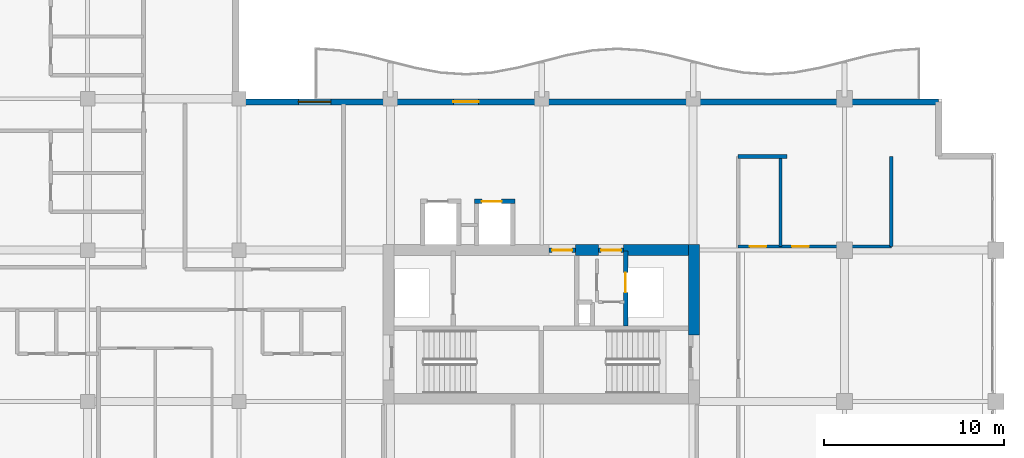
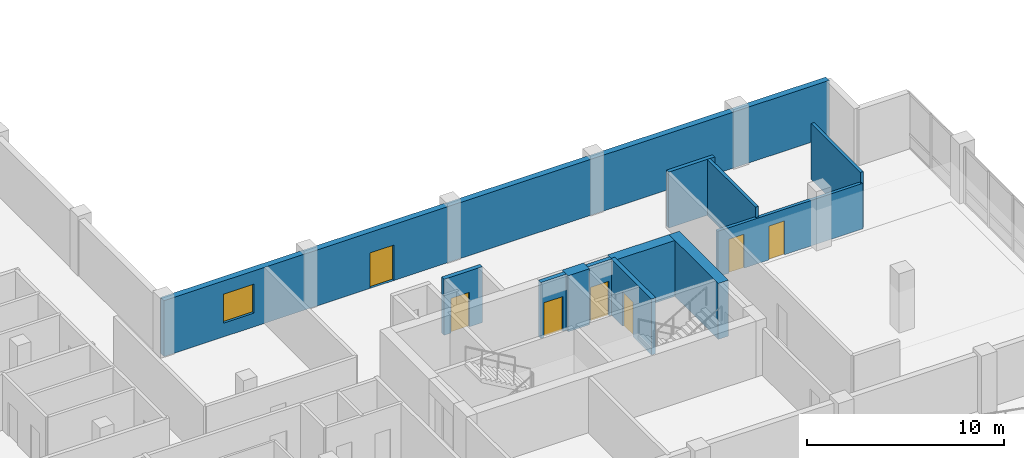
# One storey, part 8 of 16: 12 walls, 7 doors, 1 window, 8 openings.
"""IFC4 building model written with IfcOpenShell, lengths in metres."""

from ifc_helpers import new_model, si_unit, direction, frame, frame_2d, origin, place, context, subcontext, project, spatial, rectangle, extrude, material, layer, layer_set, type_object, element, fill, save


model = new_model("IFC4")

# Units and contexts
model_context = context("Model", 3, precision=1e-05, world=origin(), true_north=direction((0.0, 1.0)))
body_context = subcontext(model_context, "Body", "Model", "MODEL_VIEW")
ifc_project = project(units=[si_unit("LENGTHUNIT", "METRE"), si_unit("AREAUNIT", "SQUARE_METRE"), si_unit("VOLUMEUNIT", "CUBIC_METRE"), si_unit("PLANEANGLEUNIT", "RADIAN"), si_unit("MASSUNIT", "GRAM", prefix="KILO")], contexts=[model_context])

# Site, building, storey
site_placement = place(None, origin())
site = spatial("IfcSite", under=ifc_project, at=site_placement, CompositionType="ELEMENT")
building_placement = place(site_placement, origin())
building = spatial("IfcBuilding", under=site, at=building_placement, Name="Koriwani Terraces Tower", CompositionType="ELEMENT")
storey_placement = place(building_placement, frame((0.0, 0.0, 260.10009765625)))
storey = spatial("IfcBuildingStorey", under=building, at=storey_placement, Name="L64", CompositionType="ELEMENT", Elevation=260.10009765625)

# Walls
ifc_material_1 = material(Name="Concrete C60/75", Category="concrete")
ifc_layer_1 = layer(ifc_material_1, 0.60009765625, Name="Concrete C60/75")
ifc_layer_set_1 = layer_set([ifc_layer_1], Name="Concrete C60/75")
wall_type_1 = type_object("IfcWallType", Name="WALL_CORE_RC_600", PredefinedType="SHEAR", material=ifc_layer_set_1)
wall_1_placement = place(storey_placement, frame((58.85009765625, 20.5, 0.0), z_axis=(0.0, 0.0, 1.0), x_axis=(0.0, 1.0, 0.0)))
element("IfcWall", 1, at=wall_1_placement, inside=storey, type_object=wall_type_1, Name="L64 East Split Core Shear Wall E2", PredefinedType="SHEAR", context=body_context, shape_type="SweptSolid", body=[
    extrude(rectangle(XDim=5.0, YDim=0.60009765625, at=frame_2d((2.5, 0.0))), origin(), (0.0, 0.0, 1.0), 3.469970703125),
])
wall_2_placement = place(storey_placement, frame((52.280029296875, 25.199951171875, 0.0), z_axis=(0.0, 0.0, 1.0), x_axis=(1.0, 0.0, 0.0)))
element("IfcWall", 2, at=wall_2_placement, inside=storey, type_object=wall_type_1, Name="L64 East Split Core Shear Wall N2", PredefinedType="SHEAR", context=body_context, shape_type="SweptSolid", body=[
    extrude(rectangle(XDim=1.27001953125, YDim=0.60009765625, at=frame_2d((0.635009765625, 0.0))), origin(), (0.0, 0.0, 1.0), 3.469970703125),
])
wall_3_placement = place(storey_placement, frame((54.949951171875, 25.199951171875, 0.0), z_axis=(0.0, 0.0, 1.0), x_axis=(1.0, 0.0, 0.0)))
element("IfcWall", 3, at=wall_3_placement, inside=storey, type_object=wall_type_1, Name="L64 East Split Core Shear Wall N3", PredefinedType="SHEAR", context=body_context, shape_type="SweptSolid", body=[
    extrude(rectangle(XDim=3.60009765625, YDim=0.60009765625, at=frame_2d((1.800048828125, 0.0))), origin(), (0.0, 0.0, 1.0), 3.469970703125),
])
ifc_material_2 = material(Name="Autoclaved Cellular Concrete Blockwork", Category="masonry")
ifc_layer_2 = layer(ifc_material_2, 0.219970703125, Name="Autoclaved Cellular Concrete Blockwork")
ifc_layer_set_2 = layer_set([ifc_layer_2], Name="Autoclaved Cellular Concrete Blockwork")
wall_type_2 = type_object("IfcWallType", Name="WALL_DEMISING_220", PredefinedType="PARTITIONING", material=ifc_layer_set_2)
wall_4_placement = place(storey_placement, frame((61.300048828125, 30.39990234375, 0.0), z_axis=(0.0, 0.0, 1.0), x_axis=(1.0, 0.0, 0.0)))
element("IfcWall", 4, at=wall_4_placement, inside=storey, type_object=wall_type_2, Name="L64 Interior Wall WET-N-L64", PredefinedType="PARTITIONING", context=body_context, shape_type="SweptSolid", body=[
    extrude(rectangle(XDim=2.699951171875, YDim=0.219970703125, at=frame_2d((1.35009765625, 0.0))), origin(), (0.0, 0.0, 1.0), 3.469970703125),
])

# Wall, openings, door, window
ifc_material_3 = material(Name="Concrete C50/60", Category="concrete")
ifc_layer_3 = layer(ifc_material_3, 0.35009765625, Name="Concrete C50/60")
ifc_layer_set_3 = layer_set([ifc_layer_3], Name="Concrete C50/60")
wall_type_3 = type_object("IfcWallType", Name="WALL_EXT_BRUTALIST_350", PredefinedType="STANDARD", material=ifc_layer_set_3)
wall_5_placement = place(storey_placement, frame((33.425048828125, 33.425048828125, 0.0), z_axis=(0.0, 0.0, 1.0), x_axis=(1.0, 0.0, 0.0)))
wall_5 = element("IfcWall", 5, at=wall_5_placement, inside=storey, type_object=wall_type_3, Name="L64 Fair-Faced Brutalist Exterior Wall (NE)", PredefinedType="STANDARD", context=body_context, shape_type="SweptSolid", body=[
    extrude(rectangle(XDim=39.0, YDim=0.35009765625, at=frame_2d((19.5, 0.0))), origin(), (0.0, 0.0, 1.0), 3.469970703125),
])
opening_1_placement = place(wall_5_placement, frame((12.074951171875, 0.0, 0.0)))
opening_1 = element("IfcOpeningElement", 6, at=opening_1_placement, cuts=wall_5, Name="Opening D-09", PredefinedType="OPENING", context=body_context, shape_type="SweptSolid", body=[
    extrude(rectangle(XDim=1.39990234375, YDim=2.199951171875, at=frame_2d((0.699951171875, 1.10009765625))), frame((0.0, 0.18505859375, 0.0), z_axis=(0.0, -1.0, 0.0), x_axis=(1.0, 0.0, 0.0)), (0.0, 0.0, 1.0), 0.3701171875),
])
opening_2_placement = place(wall_5_placement, frame((3.47509765625, 0.0, 0.85009765625)))
opening_2 = element("IfcOpeningElement", 7, at=opening_2_placement, cuts=wall_5, Name="Opening W-04", PredefinedType="OPENING", context=body_context, shape_type="SweptSolid", body=[
    extrude(rectangle(XDim=1.800048828125, YDim=1.800048828125, at=frame_2d((0.89990234375, 0.89990234375))), frame((0.0, 0.18505859375, 0.0), z_axis=(0.0, -1.0, 0.0), x_axis=(1.0, 0.0, 0.0)), (0.0, 0.0, 1.0), 0.3701171875),
])
ifc_material_4 = material(Name="Anodised Bronze Aluminium", Category="aluminium")
door_type_1 = type_object("IfcDoorType", Name="DOOR_BALCONY_GLAZED_1400X2200", OperationType="NOTDEFINED", PredefinedType="DOOR", material=ifc_material_4)
door_1_placement = place(opening_1_placement, origin())
door_1 = element("IfcDoor", 8, at=door_1_placement, inside=storey, type_object=door_type_1, Name="L64 Inner Court Balcony Glazed Door", OperationType="SINGLE_SWING_LEFT", OverallHeight=2.199951171875, OverallWidth=1.39990234375, PredefinedType="DOOR", context=body_context, shape_type="SweptSolid", body=[
    extrude(rectangle(XDim=1.39990234375, YDim=2.199951171875, at=frame_2d((0.699951171875, 1.10009765625))), frame((0.0, 0.02490234375, 0.0), z_axis=(0.0, -1.0, 0.0), x_axis=(1.0, 0.0, 0.0)), (0.0, 0.0, 1.0), 0.050048828125),
])
fill(opening_1, door_1)
ifc_material_5 = material(Name="Tempered Laminated Low-E Glass", Category="glass")
window_type = type_object("IfcWindowType", Name="WIN_RES_BED_1800X1800", PartitioningType="DOUBLE_PANEL_VERTICAL", PredefinedType="WINDOW", material=ifc_material_5)
window_placement = place(opening_2_placement, origin())
window = element("IfcWindow", 9, at=window_placement, inside=storey, type_object=window_type, Name="L64 Exterior Window (NE-2)", OverallHeight=1.800048828125, OverallWidth=1.800048828125, PartitioningType="SINGLE_PANEL", PredefinedType="WINDOW", context=body_context, shape_type="SweptSolid", body=[
    extrude(rectangle(XDim=1.800048828125, YDim=1.800048828125, at=frame_2d((0.89990234375, 0.89990234375))), frame((0.0, 0.030029296875, 0.0), z_axis=(0.0, -1.0, 0.0), x_axis=(1.0, 0.0, 0.0)), (0.0, 0.0, 1.0), 0.06005859375),
])
fill(opening_2, window)

# Wall, openings, doors
ifc_material_6 = material(Name="Fire-Rated Acoustic Gypsum Partition", Category="masonry")
ifc_layer_4 = layer(ifc_material_6, 0.179931640625, Name="Fire-Rated Acoustic Gypsum Partition")
ifc_layer_set_4 = layer_set([ifc_layer_4], Name="Fire-Rated Acoustic Gypsum Partition")
wall_type_4 = type_object("IfcWallType", Name="WALL_PLUMBING_180", PredefinedType="PLUMBINGWALL", material=ifc_layer_set_4)
wall_6_placement = place(storey_placement, frame((61.300048828125, 25.39990234375, 0.0), z_axis=(0.0, 0.0, 1.0), x_axis=(1.0, 0.0, 0.0)))
wall_6 = element("IfcWall", 10, at=wall_6_placement, inside=storey, type_object=wall_type_4, Name="L64 Interior Wall WET-SVB-L64", PredefinedType="PLUMBINGWALL", context=body_context, shape_type="SweptSolid", body=[
    extrude(rectangle(XDim=8.5, YDim=0.179931640625, at=frame_2d((4.25, 0.0))), origin(), (0.0, 0.0, 1.0), 2.81982421875),
])
opening_3_placement = place(wall_6_placement, frame((0.64990234375, 0.0, 0.0)))
opening_3 = element("IfcOpeningElement", 11, at=opening_3_placement, cuts=wall_6, Name="Opening D-07", PredefinedType="OPENING", context=body_context, shape_type="SweptSolid", body=[
    extrude(rectangle(XDim=0.89990234375, YDim=2.10009765625, at=frame_2d((0.449951171875, 1.050048828125))), frame((0.0, 0.10009765625, 0.0), z_axis=(0.0, -1.0, 0.0), x_axis=(1.0, 0.0, 0.0)), (0.0, 0.0, 1.0), 0.199951171875),
])
opening_4_placement = place(wall_6_placement, frame((3.0, 0.0, 0.0)))
opening_4 = element("IfcOpeningElement", 12, at=opening_4_placement, cuts=wall_6, Name="Opening D-06", PredefinedType="OPENING", context=body_context, shape_type="SweptSolid", body=[
    extrude(rectangle(XDim=0.919921875, YDim=2.10009765625, at=frame_2d((0.4599609375, 1.050048828125))), frame((0.0, 0.10009765625, 0.0), z_axis=(0.0, -1.0, 0.0), x_axis=(1.0, 0.0, 0.0)), (0.0, 0.0, 1.0), 0.199951171875),
])
ifc_material_7 = material(Name="Architectural Oak Fire Door", Category="wood")
door_type_2 = type_object("IfcDoorType", Name="DOOR_BATH_INT_900X2100", OperationType="NOTDEFINED", PredefinedType="DOOR", material=ifc_material_7)
door_2_placement = place(opening_3_placement, origin())
door_2 = element("IfcDoor", 13, at=door_2_placement, inside=storey, type_object=door_type_2, Name="Apartment 64ET Bathroom Door", OperationType="SINGLE_SWING_LEFT", OverallHeight=2.10009765625, OverallWidth=0.89990234375, PredefinedType="DOOR", context=body_context, shape_type="SweptSolid", body=[
    extrude(rectangle(XDim=0.89990234375, YDim=2.10009765625, at=frame_2d((0.449951171875, 1.050048828125))), frame((0.0, 0.02490234375, 0.0), z_axis=(0.0, -1.0, 0.0), x_axis=(1.0, 0.0, 0.0)), (0.0, 0.0, 1.0), 0.050048828125),
])
fill(opening_3, door_2)
door_type_3 = type_object("IfcDoorType", Name="DOOR_ROOM_INT_920X2100", OperationType="NOTDEFINED", PredefinedType="DOOR", material=ifc_material_7)
door_3_placement = place(opening_4_placement, origin())
door_3 = element("IfcDoor", 14, at=door_3_placement, inside=storey, type_object=door_type_3, Name="Apartment 64ET Kitchen Door", OperationType="SINGLE_SWING_RIGHT", OverallHeight=2.10009765625, OverallWidth=0.919921875, PredefinedType="DOOR", context=body_context, shape_type="SweptSolid", body=[
    extrude(rectangle(XDim=0.919921875, YDim=2.10009765625, at=frame_2d((0.4599609375, 1.050048828125))), frame((0.0, 0.02490234375, 0.0), z_axis=(0.0, -1.0, 0.0), x_axis=(1.0, 0.0, 0.0)), (0.0, 0.0, 1.0), 0.050048828125),
])
fill(opening_4, door_3)

# Walls
for number, where, z_axis, x_axis, name in (
    (15, (63.64990234375, 25.39990234375, 0.0), (0.0, 0.0, 1.0), (0.0, 1.0, 0.0), "L64 Interior Wall WET-SVCM-L64"),
    (16, (69.800048828125, 25.39990234375, 0.0), (0.0, 0.0, 1.0), (0.0, 1.0, 0.0), "L64 Interior Wall WET-SVKE-L64"),
):
    element("IfcWall", number, at=place(storey_placement, frame(where, z_axis=z_axis, x_axis=x_axis)), inside=storey, type_object=wall_type_4, Name=name, PredefinedType="PLUMBINGWALL", context=body_context, shape_type="SweptSolid", body=[
        extrude(rectangle(XDim=5.0, YDim=0.179931640625, at=frame_2d((2.5, 0.0))), origin(), (0.0, 0.0, 1.0), 3.469970703125),
    ])

# Wall, opening, door
ifc_material_8 = material(Name="Concrete C40/50", Category="concrete")
ifc_layer_5 = layer(ifc_material_8, 0.25, Name="Concrete C40/50")
ifc_layer_set_5 = layer_set([ifc_layer_5], Name="Concrete C40/50")
wall_type_5 = type_object("IfcWallType", Name="WALL_SHAFT_RATED_250", PredefinedType="SOLIDWALL", material=ifc_layer_set_5)
wall_7_placement = place(storey_placement, frame((50.800048828125, 25.199951171875, 0.0), z_axis=(0.0, 0.0, 1.0), x_axis=(1.0, 0.0, 0.0)))
wall_7 = element("IfcWall", 17, at=wall_7_placement, inside=storey, type_object=wall_type_5, Name="L64 Interior Wall WIN-CE-L64-NP", PredefinedType="SOLIDWALL", context=body_context, shape_type="SweptSolid", body=[
    extrude(rectangle(XDim=1.47998046875, YDim=0.25, at=frame_2d((0.739990234375, 0.0))), origin(), (0.0, 0.0, 1.0), 3.469970703125),
])
opening_5_placement = place(wall_7_placement, frame((0.179931640625, 0.0, 0.0)))
opening_5 = element("IfcOpeningElement", 18, at=opening_5_placement, cuts=wall_7, Name="Opening D-03", PredefinedType="OPENING", context=body_context, shape_type="SweptSolid", body=[
    extrude(rectangle(XDim=1.10009765625, YDim=2.14990234375, at=frame_2d((0.550048828125, 1.074951171875))), frame((0.0, 0.135009765625, 0.0), z_axis=(0.0, -1.0, 0.0), x_axis=(1.0, 0.0, 0.0)), (0.0, 0.0, 1.0), 0.27001953125),
])
ifc_material_9 = material(Name="Steel ASTM A572 Grade 50", Category="steel")
door_type_4 = type_object("IfcDoorType", Name="DOOR_STAIR_FIRE_1100X2150", OperationType="NOTDEFINED", PredefinedType="DOOR", material=ifc_material_9)
door_4_placement = place(opening_5_placement, origin())
door_4 = element("IfcDoor", 19, at=door_4_placement, inside=storey, type_object=door_type_4, Name="L64 East Firefighting Lobby Door", OperationType="SINGLE_SWING_RIGHT", OverallHeight=2.14990234375, OverallWidth=1.10009765625, PredefinedType="DOOR", context=body_context, shape_type="SweptSolid", body=[
    extrude(rectangle(XDim=1.10009765625, YDim=2.14990234375, at=frame_2d((0.550048828125, 1.074951171875))), frame((0.0, 0.02490234375, 0.0), z_axis=(0.0, -1.0, 0.0), x_axis=(1.0, 0.0, 0.0)), (0.0, 0.0, 1.0), 0.050048828125),
])
fill(opening_5, door_4)

wall_8_placement = place(storey_placement, frame((55.050048828125, 21.0, 0.0), z_axis=(0.0, 0.0, 1.0), x_axis=(0.0, 1.0, 0.0)))
wall_8 = element("IfcWall", 20, at=wall_8_placement, inside=storey, type_object=wall_type_5, Name="L64 Interior Wall WIN-CE-L64-SE", PredefinedType="SOLIDWALL", context=body_context, shape_type="SweptSolid", body=[
    extrude(rectangle(XDim=4.14990234375, YDim=0.25, at=frame_2d((2.074951171875, 0.0))), origin(), (0.0, 0.0, 1.0), 3.469970703125),
])
opening_6_placement = place(wall_8_placement, frame((1.85009765625, 0.0, 0.0)))
opening_6 = element("IfcOpeningElement", 21, at=opening_6_placement, cuts=wall_8, Name="Opening LD-01", PredefinedType="OPENING", context=body_context, shape_type="SweptSolid", body=[
    extrude(rectangle(XDim=1.10009765625, YDim=2.14990234375, at=frame_2d((0.550048828125, 1.074951171875))), frame((0.0, 0.135009765625, 0.0), z_axis=(0.0, -1.0, 0.0), x_axis=(1.0, 0.0, 0.0)), (0.0, 0.0, 1.0), 0.27001953125),
])
door_type_5 = type_object("IfcDoorType", Name="DOOR_LIFT_LANDING_1100X2200", OperationType="NOTDEFINED", PredefinedType="DOOR", material=ifc_material_9)
door_5_placement = place(opening_6_placement, origin())
door_5 = element("IfcDoor", 22, at=door_5_placement, inside=storey, type_object=door_type_5, Name="L64 Goods Lift SE-02 Landing Door", OperationType="SLIDING_TO_LEFT", OverallHeight=2.14990234375, OverallWidth=1.10009765625, PredefinedType="DOOR", context=body_context, shape_type="SweptSolid", body=[
    extrude(rectangle(XDim=1.10009765625, YDim=2.14990234375, at=frame_2d((0.550048828125, 1.074951171875))), frame((0.0, 0.02490234375, 0.0), z_axis=(0.0, -1.0, 0.0), x_axis=(1.0, 0.0, 0.0)), (0.0, 0.0, 1.0), 0.050048828125),
])
fill(opening_6, door_5)

wall_9_placement = place(storey_placement, frame((53.550048828125, 25.199951171875, 0.0), z_axis=(0.0, 0.0, 1.0), x_axis=(1.0, 0.0, 0.0)))
wall_9 = element("IfcWall", 23, at=wall_9_placement, inside=storey, type_object=wall_type_5, Name="L64 Interior Wall WIN-CE-L64-NP2", PredefinedType="SOLIDWALL", context=body_context, shape_type="SweptSolid", body=[
    extrude(rectangle(XDim=1.39990234375, YDim=0.25, at=frame_2d((0.699951171875, 0.0))), origin(), (0.0, 0.0, 1.0), 3.469970703125),
])
opening_7_placement = place(wall_9_placement, frame((0.14990234375, 0.0, 0.0)))
opening_7 = element("IfcOpeningElement", 24, at=opening_7_placement, cuts=wall_9, Name="Opening D-03", PredefinedType="OPENING", context=body_context, shape_type="SweptSolid", body=[
    extrude(rectangle(XDim=1.10009765625, YDim=2.14990234375, at=frame_2d((0.550048828125, 1.074951171875))), frame((0.0, 0.135009765625, 0.0), z_axis=(0.0, -1.0, 0.0), x_axis=(1.0, 0.0, 0.0)), (0.0, 0.0, 1.0), 0.27001953125),
])
door_6_placement = place(opening_7_placement, origin())
door_6 = element("IfcDoor", 25, at=door_6_placement, inside=storey, type_object=door_type_4, Name="L64 East Goods Lift Lobby Door", OperationType="SINGLE_SWING_LEFT", OverallHeight=2.14990234375, OverallWidth=1.10009765625, PredefinedType="DOOR", context=body_context, shape_type="SweptSolid", body=[
    extrude(rectangle(XDim=1.10009765625, YDim=2.14990234375, at=frame_2d((0.550048828125, 1.074951171875))), frame((0.0, 0.02490234375, 0.0), z_axis=(0.0, -1.0, 0.0), x_axis=(1.0, 0.0, 0.0)), (0.0, 0.0, 1.0), 0.050048828125),
])
fill(opening_7, door_6)

wall_10_placement = place(storey_placement, frame((46.675048828125, 27.89990234375, 0.0), z_axis=(0.0, 0.0, 1.0), x_axis=(1.0, 0.0, 0.0)))
wall_10 = element("IfcWall", 26, at=wall_10_placement, inside=storey, type_object=wall_type_5, Name="L64 Interior Wall WIN-LF-PE-H4-L64-F", PredefinedType="SOLIDWALL", context=body_context, shape_type="SweptSolid", body=[
    extrude(rectangle(XDim=2.25, YDim=0.25, at=frame_2d((1.125, 0.0))), origin(), (0.0, 0.0, 1.0), 3.469970703125),
])
opening_8_placement = place(wall_10_placement, frame((0.39990234375, 0.0, 0.0)))
opening_8 = element("IfcOpeningElement", 27, at=opening_8_placement, cuts=wall_10, Name="Opening LD-01", PredefinedType="OPENING", context=body_context, shape_type="SweptSolid", body=[
    extrude(rectangle(XDim=1.10009765625, YDim=2.14990234375, at=frame_2d((0.550048828125, 1.074951171875))), frame((0.0, 0.135009765625, 0.0), z_axis=(0.0, -1.0, 0.0), x_axis=(1.0, 0.0, 0.0)), (0.0, 0.0, 1.0), 0.27001953125),
])
door_7_placement = place(opening_8_placement, origin())
door_7 = element("IfcDoor", 28, at=door_7_placement, inside=storey, type_object=door_type_5, Name="L64 Passenger Lift PE-H4 Landing Door", OperationType="SLIDING_TO_LEFT", OverallHeight=2.14990234375, OverallWidth=1.10009765625, PredefinedType="DOOR", context=body_context, shape_type="SweptSolid", body=[
    extrude(rectangle(XDim=1.10009765625, YDim=2.14990234375, at=frame_2d((0.550048828125, 1.074951171875))), frame((0.0, 0.02490234375, 0.0), z_axis=(0.0, -1.0, 0.0), x_axis=(1.0, 0.0, 0.0)), (0.0, 0.0, 1.0), 0.050048828125),
])
fill(opening_8, door_7)

save(model, "model.ifc")
